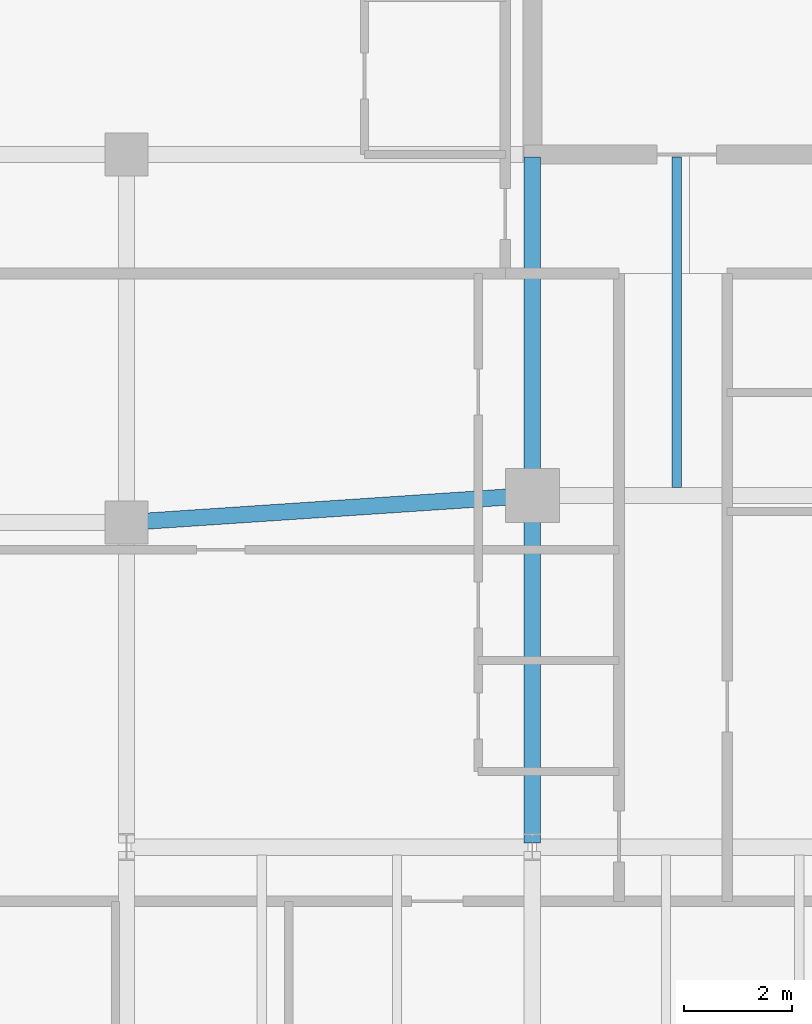
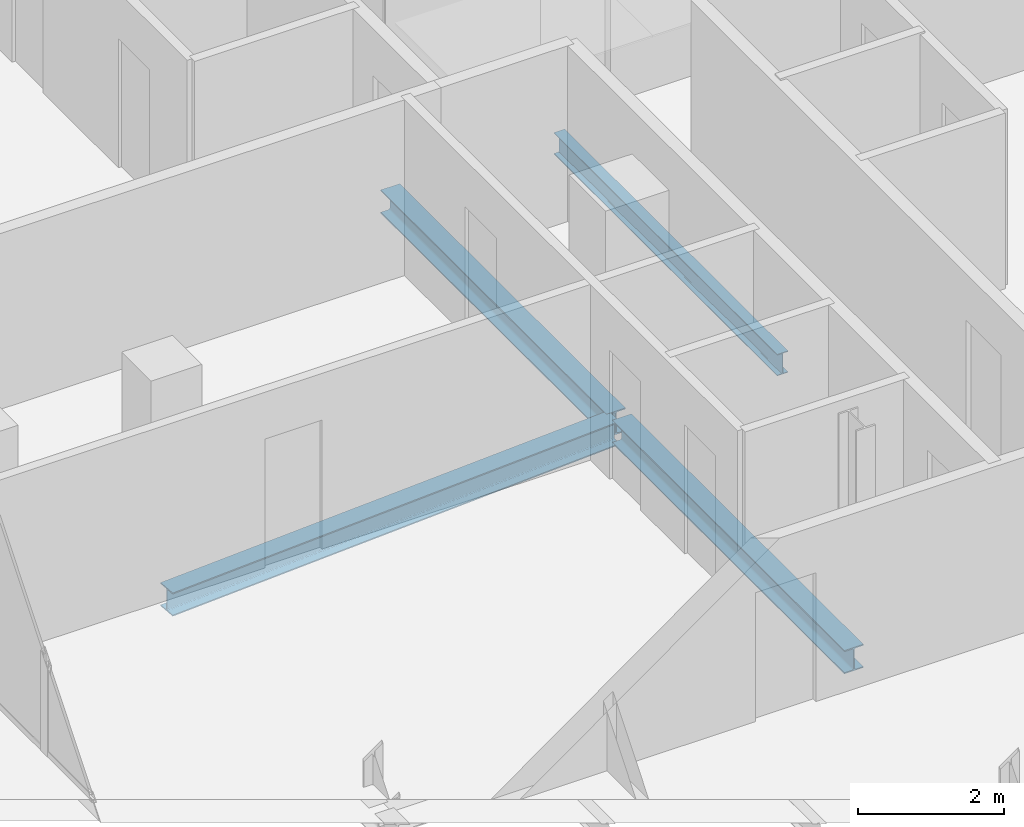
# One storey, part 8 of 24: 4 beams.
"""IFC4 building model written with IfcOpenShell, lengths in metres."""

from ifc_helpers import new_model, si_unit, direction, frame, origin, origin_2d, place, context, subcontext, project, spatial, i_section, extrude, material, material_profile, profile_set, type_object, element, save


model = new_model("IFC4")

# Units and contexts
model_context = context("Model", 3, precision=1e-05, world=origin(), true_north=direction((0.0, 1.0)))
body_context = subcontext(model_context, "Body", "Model", "MODEL_VIEW")
ifc_project = project(units=[si_unit("LENGTHUNIT", "METRE"), si_unit("AREAUNIT", "SQUARE_METRE"), si_unit("VOLUMEUNIT", "CUBIC_METRE"), si_unit("PLANEANGLEUNIT", "RADIAN"), si_unit("MASSUNIT", "GRAM", prefix="KILO")], contexts=[model_context])

# Site, building, storey
site_placement = place(None, origin())
site = spatial("IfcSite", under=ifc_project, at=site_placement, CompositionType="ELEMENT")
building_placement = place(site_placement, origin())
building = spatial("IfcBuilding", under=site, at=building_placement, Name="Catumbela Crestline Tower", CompositionType="ELEMENT")
storey_placement = place(building_placement, frame((0.0, 0.0, 157.8)))
storey = spatial("IfcBuildingStorey", under=building, at=storey_placement, Name="L40", CompositionType="ELEMENT", Elevation=157.8)

# Beams
ifc_material = material(Name="Structural steel S355J2", Category="steel")
ifc_material_profile_1 = material_profile(ifc_material, i_section(OverallWidth=0.3, OverallDepth=0.39, WebThickness=0.011, FlangeThickness=0.019, FilletRadius=0.027, at=origin_2d()), Name="HEA 400")
ifc_profile_set_1 = profile_set([ifc_material_profile_1], Name="Structural steel S355J2")
beam_type_1 = type_object("IfcBeamType", Name="BG-HEA400", PredefinedType="BEAM", material=ifc_profile_set_1)
beam_1_placement = place(storey_placement, frame((8.5798, 24.0053, -0.455), z_axis=(0.997784796964, 0.066524423687, 0.0), x_axis=(-0.066524423687, 0.997784796964, 0.0)))
element("IfcBeam", 1, at=beam_1_placement, inside=storey, type_object=beam_type_1, Name="L40 Beam BM-L40-S02", PredefinedType="BEAM", context=body_context, shape_type="SweptSolid", body=[
    extrude(i_section(OverallWidth=0.3, OverallDepth=0.39, WebThickness=0.011, FlangeThickness=0.019, FilletRadius=0.027, at=origin_2d()), origin(), (0.0, 0.0, 1.0), 7.3567),
])
beam_2_placement = place(storey_placement, frame((16.0, 24.58, -0.455), z_axis=(0.0, 1.0, 0.0), x_axis=(-1.0, 0.0, 0.0)))
element("IfcBeam", 2, at=beam_2_placement, inside=storey, type_object=beam_type_1, Name="L40 Beam BM-L40-SNS17", PredefinedType="BEAM", context=body_context, shape_type="SweptSolid", body=[
    extrude(i_section(OverallWidth=0.3, OverallDepth=0.39, WebThickness=0.011, FlangeThickness=0.019, FilletRadius=0.027, at=origin_2d()), origin(), (0.0, 0.0, 1.0), 6.17),
])
beam_3_placement = place(storey_placement, frame((16.0, 18.08, -0.455), z_axis=(0.0, 1.0, 0.0), x_axis=(-1.0, 0.0, 0.0)))
element("IfcBeam", 3, at=beam_3_placement, inside=storey, type_object=beam_type_1, Name="L40 Beam BM-L40-WNS42", PredefinedType="BEAM", context=body_context, shape_type="SweptSolid", body=[
    extrude(i_section(OverallWidth=0.3, OverallDepth=0.39, WebThickness=0.011, FlangeThickness=0.019, FilletRadius=0.027, at=origin_2d()), origin(), (0.0, 0.0, 1.0), 6.34),
])
ifc_material_profile_2 = material_profile(ifc_material, i_section(OverallWidth=0.17, OverallDepth=0.36, WebThickness=0.008, FlangeThickness=0.0127, FilletRadius=0.018, at=origin_2d()), Name="IPE 360")
ifc_profile_set_2 = profile_set([ifc_material_profile_2], Name="Structural steel S355J2")
beam_type_2 = type_object("IfcBeamType", Name="BJ-IPE360", PredefinedType="JOIST", material=ifc_profile_set_2)
beam_4_placement = place(storey_placement, frame((18.667, 24.647, -0.44), z_axis=(0.0, 1.0, 0.0), x_axis=(-1.0, 0.0, 0.0)))
element("IfcBeam", 4, at=beam_4_placement, inside=storey, type_object=beam_type_2, Name="L40 Joist JS-L40-SP26", PredefinedType="JOIST", context=body_context, shape_type="SweptSolid", body=[
    extrude(i_section(OverallWidth=0.17, OverallDepth=0.36, WebThickness=0.008, FlangeThickness=0.0127, FilletRadius=0.018, at=origin_2d()), origin(), (0.0, 0.0, 1.0), 6.103),
])

save(model, "model.ifc")
